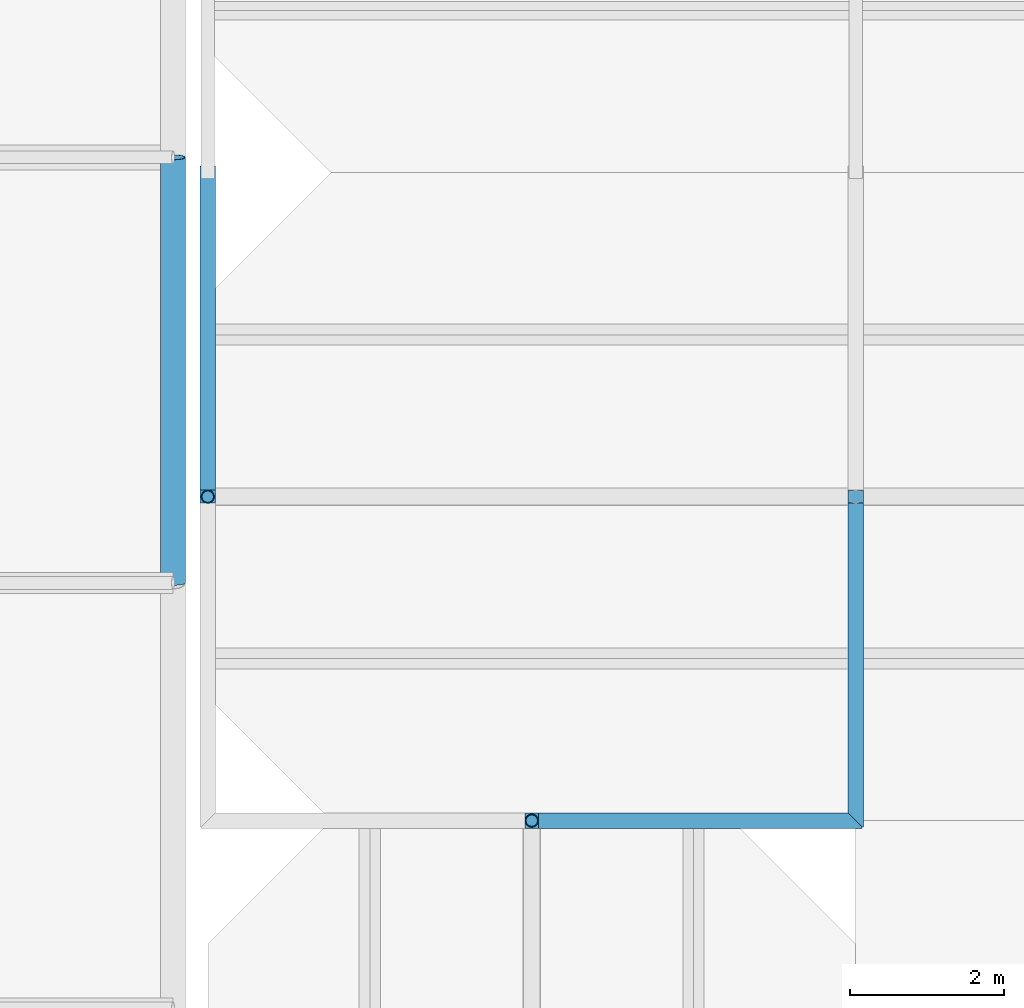
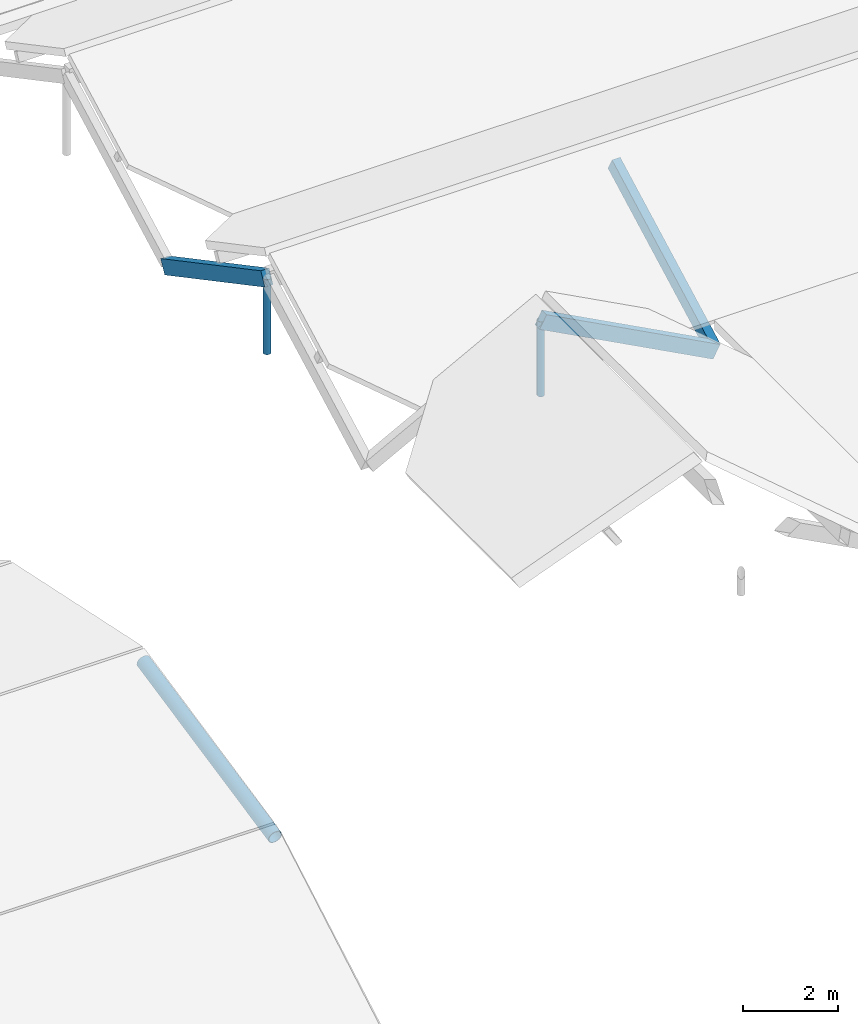
# One storey, part 23 of 82: 6 members.
"""IFC4 building model written with IfcOpenShell, lengths in metres."""

import ifcopenshell
import ifcopenshell.guid

model = None  # the IFC model being written
_history = None  # IfcOwnerHistory: only IFC2X3 demands one
_inside = {}  # id of a spatial element -> (the spatial element, [elements in it])
_under = {}  # id of a project, library or spatial element -> (it, [spatial elements below it])
_declared = {}  # id of a project -> (the project, [libraries it declares])
_typed = {}  # id of a type object -> (the type object, [elements of that type])
_made_of = {}  # id of a material, layer set ... -> (it, [elements and type objects made of it])


def new_model(schema):
    """Start an empty IFC model of exactly this schema.

    Asked for "IFC4X3", IfcOpenShell would pick the latest addendum, in which some entities
    have other attributes; the version numbers below select the first issue.
    IFC2X3 requires an IfcOwnerHistory on every rooted entity: one is made here for all.
    """
    global model, _history
    if schema == "IFC4X3":
        model = ifcopenshell.file(schema_version=(4, 3, 0, 0))
    else:
        model = ifcopenshell.file(schema=schema)
    _inside.clear()
    _under.clear()
    _declared.clear()
    _typed.clear()
    _made_of.clear()
    _history = None
    if model.schema == "IFC2X3":
        org = make("IfcOrganization", Name="unknown")
        user = make(
            "IfcPersonAndOrganization",
            ThePerson=make("IfcPerson", FamilyName="unknown"),
            TheOrganization=org,
        )
        app = make(
            "IfcApplication",
            ApplicationDeveloper=org,
            Version="unknown",
            ApplicationFullName="unknown",
            ApplicationIdentifier="unknown",
        )
        _history = make(
            "IfcOwnerHistory",
            OwningUser=user,
            OwningApplication=app,
            ChangeAction="ADDED",
            CreationDate=0,
        )
    return model


def make(cls, **values):
    """One entity of the class cls with the attributes given. An attribute that is None is left unset."""
    return model.create_entity(
        cls, **{name: value for name, value in values.items() if value is not None}
    )


def rooted(cls, **values):
    """An entity with a GlobalId (a new one), such as an element, a storey or a relation."""
    return make(cls, GlobalId=ifcopenshell.guid.new(), OwnerHistory=_history, **values)


def si_unit(unit_type, name, prefix=None):
    """IfcSIUnit, for example si_unit("LENGTHUNIT", "METRE", prefix="MILLI")."""
    return make("IfcSIUnit", UnitType=unit_type, Prefix=prefix, Name=name)


def assignment(units):
    """IfcUnitAssignment: the units of a project."""
    return None if units is None else make("IfcUnitAssignment", Units=units)


def point(xyz):
    """IfcCartesianPoint."""
    return None if xyz is None else make("IfcCartesianPoint", Coordinates=xyz)


def direction(xyz):
    """IfcDirection."""
    return None if xyz is None else make("IfcDirection", DirectionRatios=xyz)


def frame(location, z_axis=None, x_axis=None):
    """IfcAxis2Placement3D, a coordinate frame: its origin and axes. An axis left out is left unset."""
    return make(
        "IfcAxis2Placement3D",
        Location=point(location),
        Axis=direction(z_axis),
        RefDirection=direction(x_axis),
    )


def frame_2d(location, x_axis=None):
    """IfcAxis2Placement2D, a coordinate frame in the plane: its origin and x axis."""
    return make(
        "IfcAxis2Placement2D", Location=point(location), RefDirection=direction(x_axis)
    )


def origin():
    """The frame at (0, 0, 0) with its axes left unset."""
    return frame((0.0, 0.0, 0.0))


def origin_2d():
    """The frame at (0, 0) in the plane with its x axis left unset."""
    return frame_2d((0.0, 0.0))


def place(relative_to, where):
    """IfcLocalPlacement: puts the frame where relative to a parent placement (None: the world)."""
    return make(
        "IfcLocalPlacement", PlacementRelTo=relative_to, RelativePlacement=where
    )


def context(
    kind, dimensions, precision=None, world=None, true_north=None, identifier=None
):
    """IfcGeometricRepresentationContext, for example the 3D "Model" context."""
    return make(
        "IfcGeometricRepresentationContext",
        ContextIdentifier=identifier,
        ContextType=kind,
        CoordinateSpaceDimension=dimensions,
        Precision=precision,
        WorldCoordinateSystem=world,
        TrueNorth=true_north,
    )


def subcontext(parent, identifier, kind, view, scale=None):
    """IfcGeometricRepresentationSubContext, for example "Body" below "Model"."""
    return make(
        "IfcGeometricRepresentationSubContext",
        ContextIdentifier=identifier,
        ContextType=kind,
        ParentContext=parent,
        TargetScale=scale,
        TargetView=view,
    )


def project(units=None, contexts=None):
    """IfcProject with its units and contexts."""
    return rooted(
        "IfcProject",
        Name="project",
        RepresentationContexts=contexts,
        UnitsInContext=assignment(units),
    )


def spatial(cls, under=None, at=None, **own):
    """A site, building, storey or space (cls), placed at a placement, below another one or the project."""
    s = rooted(cls, ObjectPlacement=at, **own)
    if under is not None:
        _under.setdefault(under.id(), (under, []))[1].append(s)
    return s


def profile(cls, at=None, kind="AREA", **sizes):
    """A parametric profile (cls). Its sizes go by their IFC names, for example OverallWidth=200.0."""
    return make(cls, ProfileType=kind, Position=at, **sizes)


def rectangle(**sizes):
    """IfcRectangleProfileDef."""
    return profile("IfcRectangleProfileDef", **sizes)


def hollow_circle(**sizes):
    """IfcCircleHollowProfileDef."""
    return profile("IfcCircleHollowProfileDef", **sizes)


def extrude(swept, where, along, depth):
    """IfcExtrudedAreaSolid: the profile swept, set in the frame where, extruded along a direction by depth."""
    return make(
        "IfcExtrudedAreaSolid",
        SweptArea=swept,
        Position=where,
        ExtrudedDirection=direction(along),
        Depth=depth,
    )


def shape(context_of_items, identifier, shape_type, items):
    """IfcShapeRepresentation: the items that make up one representation, for example the "Body"."""
    return make(
        "IfcShapeRepresentation",
        ContextOfItems=context_of_items,
        RepresentationIdentifier=identifier,
        RepresentationType=shape_type,
        Items=items,
    )


def material(Name=None, Category=None):
    """IfcMaterial."""
    return make("IfcMaterial", Name=Name, Category=Category)


def material_profile(
    of_material, cross_section, Name=None, Category=None, Priority=None
):
    """IfcMaterialProfile: a cross section and its material."""
    return make(
        "IfcMaterialProfile",
        Name=Name,
        Material=of_material,
        Profile=cross_section,
        Priority=Priority,
        Category=Category,
    )


def profile_set(profiles, Name=None, composite=None):
    """IfcMaterialProfileSet."""
    return make(
        "IfcMaterialProfileSet",
        Name=Name,
        MaterialProfiles=profiles,
        CompositeProfile=composite,
    )


def made_of(thing, what):
    """Note that an element or type object is made of a material, layer set ...; save() writes the relation."""
    if what is not None:
        _made_of.setdefault(what.id(), (what, []))[1].append(thing)
    return thing


def type_object(cls, material=None, **own):
    """A type object (cls), such as IfcWallType, which elements share."""
    return made_of(rooted(cls, **own), material)


def element(
    cls,
    number,
    at=None,
    inside=None,
    cuts=None,
    type_object=None,
    material=None,
    context=None,
    identifier="Body",
    shape_type=None,
    held_by="IfcProductDefinitionShape",
    body=None,
    shapes=None,
    **own,
):
    """One element of the class cls, such as IfcWall. Its Tag is "e" and its number.

    at: its placement. inside: the storey or other place that contains it. cuts: it is an
    opening in that element (IfcRelVoidsElement). A single representation is given by context,
    identifier, shape_type and body (its items); several are given by shapes. held_by: the class
    of the entity that holds the representations. save() writes the other relations.
    """
    e = rooted(cls, Tag="e%d" % number, ObjectPlacement=at, **own)
    if body is not None:
        shapes = [shape(context, identifier, shape_type, body)]
    if shapes is not None:
        e.Representation = make(held_by, Representations=shapes)
    if inside is not None:
        _inside.setdefault(inside.id(), (inside, []))[1].append(e)
    if cuts is not None:
        rooted(
            "IfcRelVoidsElement", RelatingBuildingElement=cuts, RelatedOpeningElement=e
        )
    if type_object is not None:
        _typed.setdefault(type_object.id(), (type_object, []))[1].append(e)
    return made_of(e, material)


def aggregate(whole, parts):
    """IfcRelAggregates: a whole, such as a stair, and the parts it consists of."""
    return rooted("IfcRelAggregates", RelatingObject=whole, RelatedObjects=parts)


def save(model, path):
    """Write the relations noted so far, then the file.

    IfcRelAggregates (storeys below a building ...), IfcRelContainedInSpatialStructure (elements
    in a storey), IfcRelDefinesByType, IfcRelAssociatesMaterial and IfcRelDeclares: one each for
    every whole, place, type object, material and project.
    """
    for whole, parts in _under.values():
        aggregate(whole, parts)
    for where, things in _inside.values():
        rooted(
            "IfcRelContainedInSpatialStructure",
            RelatedElements=things,
            RelatingStructure=where,
        )
    for kind, things in _typed.values():
        rooted("IfcRelDefinesByType", RelatedObjects=things, RelatingType=kind)
    for what, things in _made_of.values():
        rooted("IfcRelAssociatesMaterial", RelatedObjects=things, RelatingMaterial=what)
    for by, libraries in _declared.values():
        rooted("IfcRelDeclares", RelatingContext=by, RelatedDefinitions=libraries)
    model.write(path)


model = new_model("IFC4")

# Units and contexts
model_context = context("Model", 3, precision=1e-05, world=origin(), true_north=direction((0.0, 1.0)))
body_context = subcontext(model_context, "Body", "Model", "MODEL_VIEW")
ifc_project = project(units=[si_unit("LENGTHUNIT", "METRE"), si_unit("AREAUNIT", "SQUARE_METRE"), si_unit("VOLUMEUNIT", "CUBIC_METRE"), si_unit("PLANEANGLEUNIT", "RADIAN"), si_unit("MASSUNIT", "GRAM", prefix="KILO")], contexts=[model_context])

# Site, building, storey
site_placement = place(None, origin())
site = spatial("IfcSite", under=ifc_project, at=site_placement, CompositionType="ELEMENT")
building_placement = place(site_placement, origin())
building = spatial("IfcBuilding", under=site, at=building_placement, Name="Bramfleet General Hospital", CompositionType="ELEMENT")
storey_placement = place(building_placement, frame((0.0, 0.0, 34.199951171875)))
storey = spatial("IfcBuildingStorey", under=building, at=storey_placement, Name="Roof", CompositionType="ELEMENT", Elevation=34.199951171875)

# Members
ifc_material_1 = material(Name="Structural timber GL28h", Category="wood")
ifc_material_profile_1 = material_profile(ifc_material_1, rectangle(XDim=0.199951171875, YDim=0.360107421875, at=origin_2d()), Name="GL28h 360x200")
ifc_profile_set_1 = profile_set([ifc_material_profile_1], Name="Structural timber GL28h")
member_type_1 = type_object("IfcMemberType", Name="MEM-RF-GL360", PredefinedType="RAFTER", material=ifc_profile_set_1)
for number, where, z_axis, x_axis, name in (
    (1, (96.60009765625, 25.199951171875, 1.476806640625), (0.882947536541, 0.0, -0.469471668705), (0.0, 1.0, 0.0), "Patient House PH-05 East Glulam Rafter 3"),
    (2, (92.39990234375, 29.39990234375, 1.476806640625), (0.0, 0.882958848035, -0.469450394267), (-1.0, 0.0, 0.0), "Patient House PH-09 North Glulam Rafter 0"),
    (3, (100.800048828125, 25.199951171875, -0.75634765625), (0.0, 0.882947536541, 0.469471668705), (-1.0, 0.0, 0.0), "Patient House PH-09 South Glulam Rafter 1"),
):
    element("IfcMember", number, at=place(storey_placement, frame(where, z_axis=z_axis, x_axis=x_axis)), inside=storey, type_object=member_type_1, Name=name, PredefinedType="RAFTER", context=body_context, shape_type="SweptSolid", body=[
        extrude(rectangle(XDim=0.199951171875, YDim=0.360107421875, at=origin_2d()), origin(), (0.0, 0.0, 1.0), 4.7568359375),
    ])
ifc_material_2 = material(Name="Steel S355", Category="steel")
ifc_material_profile_2 = material_profile(ifc_material_2, hollow_circle(Radius=0.084228515625, WallThickness=0.008056640625, at=origin_2d()), Name="CHS 168.3x8.0")
ifc_profile_set_2 = profile_set([ifc_material_profile_2], Name="Steel S355")
member_type_2 = type_object("IfcMemberType", Name="MEM-SF-DG1", PredefinedType="STRUT", material=ifc_profile_set_2)
for number, where, z_axis, x_axis, name in (
    (4, (96.60009765625, 25.199951171875, -0.43994140625), (0.0, 0.0, 1.0), (1.0, 0.0, 0.0), "Patient House PH-05 Ridge Timber Post 3"),
    (5, (92.39990234375, 29.39990234375, -0.43994140625), (0.0, 0.0, 1.0), (1.0, 0.0, 0.0), "Patient House PH-09 Ridge Timber Post 0"),
):
    element("IfcMember", number, at=place(storey_placement, frame(where, z_axis=z_axis, x_axis=x_axis)), inside=storey, type_object=member_type_2, Name=name, PredefinedType="STRUT", context=body_context, shape_type="SweptSolid", body=[
        extrude(hollow_circle(Radius=0.084228515625, WallThickness=0.008056640625, at=origin_2d()), origin(), (0.0, 0.0, 1.0), 1.916748046875),
    ])
ifc_material_profile_3 = material_profile(ifc_material_2, hollow_circle(Radius=0.161865234375, WallThickness=0.012451171875, at=origin_2d()), Name="CHS 323.9x12.5")
ifc_profile_set_3 = profile_set([ifc_material_profile_3], Name="Steel S355")
member_type_3 = type_object("IfcMemberType", Name="MEM-SF-TC1", PredefinedType="CHORD", material=ifc_profile_set_3)
member_placement = place(storey_placement, frame((91.949951171875, 28.283447265625, -12.002197265625), z_axis=(0.0, 0.97887216089, 0.204473207621), x_axis=(-1.0, 0.0, 0.0)))
element("IfcMember", 6, at=member_placement, inside=storey, type_object=member_type_3, Name="Space Frame Top Chord Y 7-2", PredefinedType="CHORD", context=body_context, shape_type="SweptSolid", body=[
    extrude(hollow_circle(Radius=0.161865234375, WallThickness=0.012451171875, at=origin_2d()), origin(), (0.0, 0.0, 1.0), 5.6357421875),
])

save(model, "model.ifc")
